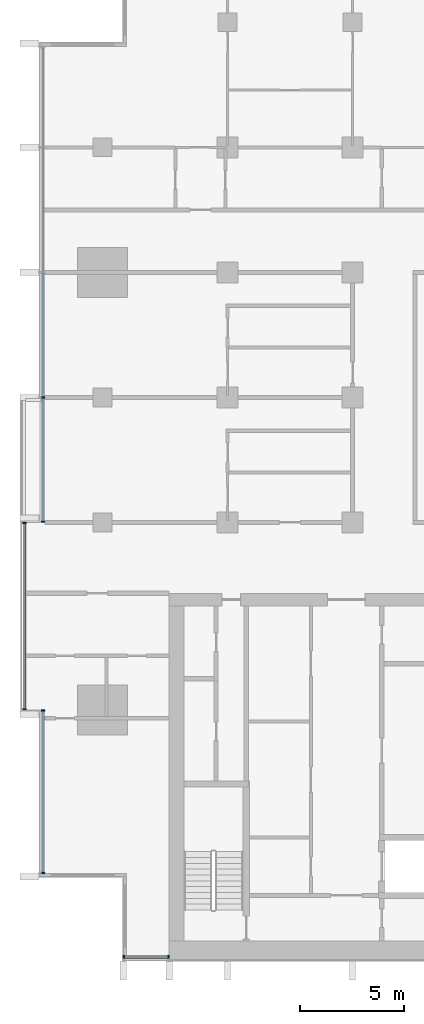
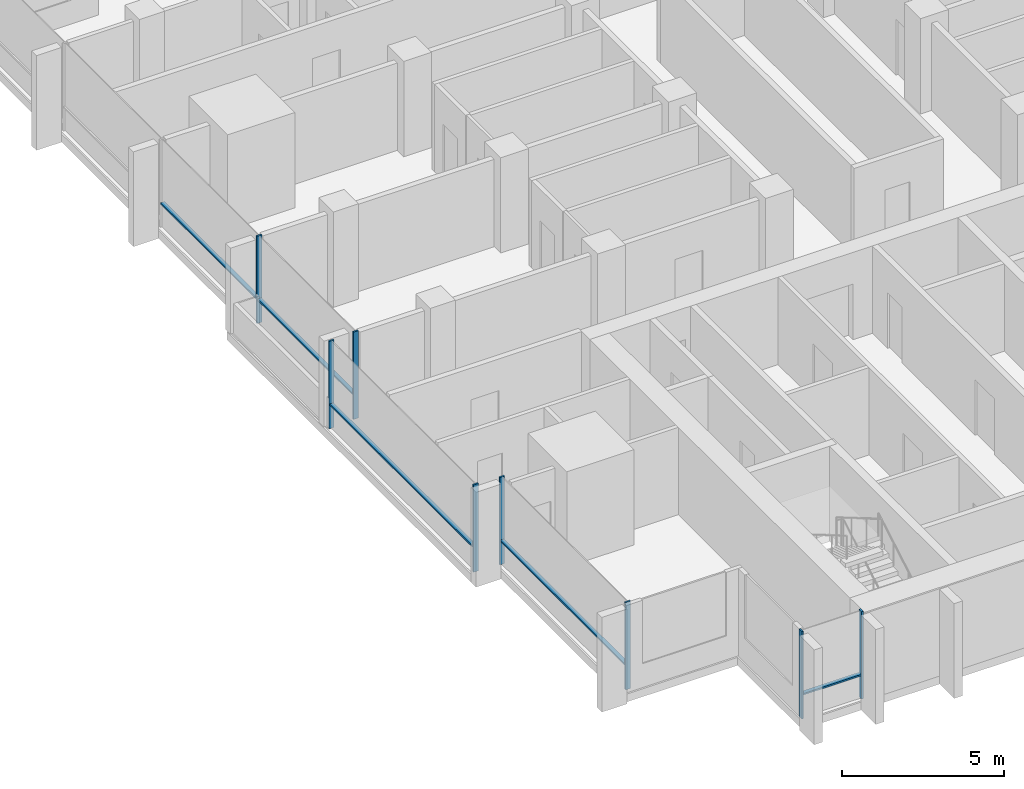
# One storey, part 2 of 16: 13 members, 4 elements without a shape of their own.
"""IFC4 building model written with IfcOpenShell, lengths in metres."""

import ifcopenshell
import ifcopenshell.guid

model = None  # the IFC model being written
_history = None  # IfcOwnerHistory: only IFC2X3 demands one
_inside = {}  # id of a spatial element -> (the spatial element, [elements in it])
_under = {}  # id of a project, library or spatial element -> (it, [spatial elements below it])
_declared = {}  # id of a project -> (the project, [libraries it declares])
_typed = {}  # id of a type object -> (the type object, [elements of that type])
_made_of = {}  # id of a material, layer set ... -> (it, [elements and type objects made of it])


def new_model(schema):
    """Start an empty IFC model of exactly this schema.

    Asked for "IFC4X3", IfcOpenShell would pick the latest addendum, in which some entities
    have other attributes; the version numbers below select the first issue.
    IFC2X3 requires an IfcOwnerHistory on every rooted entity: one is made here for all.
    """
    global model, _history
    if schema == "IFC4X3":
        model = ifcopenshell.file(schema_version=(4, 3, 0, 0))
    else:
        model = ifcopenshell.file(schema=schema)
    _inside.clear()
    _under.clear()
    _declared.clear()
    _typed.clear()
    _made_of.clear()
    _history = None
    if model.schema == "IFC2X3":
        org = make("IfcOrganization", Name="unknown")
        user = make(
            "IfcPersonAndOrganization",
            ThePerson=make("IfcPerson", FamilyName="unknown"),
            TheOrganization=org,
        )
        app = make(
            "IfcApplication",
            ApplicationDeveloper=org,
            Version="unknown",
            ApplicationFullName="unknown",
            ApplicationIdentifier="unknown",
        )
        _history = make(
            "IfcOwnerHistory",
            OwningUser=user,
            OwningApplication=app,
            ChangeAction="ADDED",
            CreationDate=0,
        )
    return model


def make(cls, **values):
    """One entity of the class cls with the attributes given. An attribute that is None is left unset."""
    return model.create_entity(
        cls, **{name: value for name, value in values.items() if value is not None}
    )


def rooted(cls, **values):
    """An entity with a GlobalId (a new one), such as an element, a storey or a relation."""
    return make(cls, GlobalId=ifcopenshell.guid.new(), OwnerHistory=_history, **values)


def si_unit(unit_type, name, prefix=None):
    """IfcSIUnit, for example si_unit("LENGTHUNIT", "METRE", prefix="MILLI")."""
    return make("IfcSIUnit", UnitType=unit_type, Prefix=prefix, Name=name)


def assignment(units):
    """IfcUnitAssignment: the units of a project."""
    return None if units is None else make("IfcUnitAssignment", Units=units)


def point(xyz):
    """IfcCartesianPoint."""
    return None if xyz is None else make("IfcCartesianPoint", Coordinates=xyz)


def direction(xyz):
    """IfcDirection."""
    return None if xyz is None else make("IfcDirection", DirectionRatios=xyz)


def frame(location, z_axis=None, x_axis=None):
    """IfcAxis2Placement3D, a coordinate frame: its origin and axes. An axis left out is left unset."""
    return make(
        "IfcAxis2Placement3D",
        Location=point(location),
        Axis=direction(z_axis),
        RefDirection=direction(x_axis),
    )


def frame_2d(location, x_axis=None):
    """IfcAxis2Placement2D, a coordinate frame in the plane: its origin and x axis."""
    return make(
        "IfcAxis2Placement2D", Location=point(location), RefDirection=direction(x_axis)
    )


def origin():
    """The frame at (0, 0, 0) with its axes left unset."""
    return frame((0.0, 0.0, 0.0))


def origin_2d():
    """The frame at (0, 0) in the plane with its x axis left unset."""
    return frame_2d((0.0, 0.0))


def place(relative_to, where):
    """IfcLocalPlacement: puts the frame where relative to a parent placement (None: the world)."""
    return make(
        "IfcLocalPlacement", PlacementRelTo=relative_to, RelativePlacement=where
    )


def context(
    kind, dimensions, precision=None, world=None, true_north=None, identifier=None
):
    """IfcGeometricRepresentationContext, for example the 3D "Model" context."""
    return make(
        "IfcGeometricRepresentationContext",
        ContextIdentifier=identifier,
        ContextType=kind,
        CoordinateSpaceDimension=dimensions,
        Precision=precision,
        WorldCoordinateSystem=world,
        TrueNorth=true_north,
    )


def subcontext(parent, identifier, kind, view, scale=None):
    """IfcGeometricRepresentationSubContext, for example "Body" below "Model"."""
    return make(
        "IfcGeometricRepresentationSubContext",
        ContextIdentifier=identifier,
        ContextType=kind,
        ParentContext=parent,
        TargetScale=scale,
        TargetView=view,
    )


def project(units=None, contexts=None):
    """IfcProject with its units and contexts."""
    return rooted(
        "IfcProject",
        Name="project",
        RepresentationContexts=contexts,
        UnitsInContext=assignment(units),
    )


def spatial(cls, under=None, at=None, **own):
    """A site, building, storey or space (cls), placed at a placement, below another one or the project."""
    s = rooted(cls, ObjectPlacement=at, **own)
    if under is not None:
        _under.setdefault(under.id(), (under, []))[1].append(s)
    return s


def profile(cls, at=None, kind="AREA", **sizes):
    """A parametric profile (cls). Its sizes go by their IFC names, for example OverallWidth=200.0."""
    return make(cls, ProfileType=kind, Position=at, **sizes)


def rectangle(**sizes):
    """IfcRectangleProfileDef."""
    return profile("IfcRectangleProfileDef", **sizes)


def extrude(swept, where, along, depth):
    """IfcExtrudedAreaSolid: the profile swept, set in the frame where, extruded along a direction by depth."""
    return make(
        "IfcExtrudedAreaSolid",
        SweptArea=swept,
        Position=where,
        ExtrudedDirection=direction(along),
        Depth=depth,
    )


def shape(context_of_items, identifier, shape_type, items):
    """IfcShapeRepresentation: the items that make up one representation, for example the "Body"."""
    return make(
        "IfcShapeRepresentation",
        ContextOfItems=context_of_items,
        RepresentationIdentifier=identifier,
        RepresentationType=shape_type,
        Items=items,
    )


def material(Name=None, Category=None):
    """IfcMaterial."""
    return make("IfcMaterial", Name=Name, Category=Category)


def material_profile(
    of_material, cross_section, Name=None, Category=None, Priority=None
):
    """IfcMaterialProfile: a cross section and its material."""
    return make(
        "IfcMaterialProfile",
        Name=Name,
        Material=of_material,
        Profile=cross_section,
        Priority=Priority,
        Category=Category,
    )


def profile_set(profiles, Name=None, composite=None):
    """IfcMaterialProfileSet."""
    return make(
        "IfcMaterialProfileSet",
        Name=Name,
        MaterialProfiles=profiles,
        CompositeProfile=composite,
    )


def made_of(thing, what):
    """Note that an element or type object is made of a material, layer set ...; save() writes the relation."""
    if what is not None:
        _made_of.setdefault(what.id(), (what, []))[1].append(thing)
    return thing


def type_object(cls, material=None, **own):
    """A type object (cls), such as IfcWallType, which elements share."""
    return made_of(rooted(cls, **own), material)


def element(
    cls,
    number,
    at=None,
    inside=None,
    cuts=None,
    type_object=None,
    material=None,
    context=None,
    identifier="Body",
    shape_type=None,
    held_by="IfcProductDefinitionShape",
    body=None,
    shapes=None,
    **own,
):
    """One element of the class cls, such as IfcWall. Its Tag is "e" and its number.

    at: its placement. inside: the storey or other place that contains it. cuts: it is an
    opening in that element (IfcRelVoidsElement). A single representation is given by context,
    identifier, shape_type and body (its items); several are given by shapes. held_by: the class
    of the entity that holds the representations. save() writes the other relations.
    """
    e = rooted(cls, Tag="e%d" % number, ObjectPlacement=at, **own)
    if body is not None:
        shapes = [shape(context, identifier, shape_type, body)]
    if shapes is not None:
        e.Representation = make(held_by, Representations=shapes)
    if inside is not None:
        _inside.setdefault(inside.id(), (inside, []))[1].append(e)
    if cuts is not None:
        rooted(
            "IfcRelVoidsElement", RelatingBuildingElement=cuts, RelatedOpeningElement=e
        )
    if type_object is not None:
        _typed.setdefault(type_object.id(), (type_object, []))[1].append(e)
    return made_of(e, material)


def aggregate(whole, parts):
    """IfcRelAggregates: a whole, such as a stair, and the parts it consists of."""
    return rooted("IfcRelAggregates", RelatingObject=whole, RelatedObjects=parts)


def save(model, path):
    """Write the relations noted so far, then the file.

    IfcRelAggregates (storeys below a building ...), IfcRelContainedInSpatialStructure (elements
    in a storey), IfcRelDefinesByType, IfcRelAssociatesMaterial and IfcRelDeclares: one each for
    every whole, place, type object, material and project.
    """
    for whole, parts in _under.values():
        aggregate(whole, parts)
    for where, things in _inside.values():
        rooted(
            "IfcRelContainedInSpatialStructure",
            RelatedElements=things,
            RelatingStructure=where,
        )
    for kind, things in _typed.values():
        rooted("IfcRelDefinesByType", RelatedObjects=things, RelatingType=kind)
    for what, things in _made_of.values():
        rooted("IfcRelAssociatesMaterial", RelatedObjects=things, RelatingMaterial=what)
    for by, libraries in _declared.values():
        rooted("IfcRelDeclares", RelatingContext=by, RelatedDefinitions=libraries)
    model.write(path)


model = new_model("IFC4")

# Units and contexts
model_context = context("Model", 3, precision=1e-05, world=origin(), true_north=direction((0.0, 1.0)))
body_context = subcontext(model_context, "Body", "Model", "MODEL_VIEW")
ifc_project = project(units=[si_unit("LENGTHUNIT", "METRE"), si_unit("AREAUNIT", "SQUARE_METRE"), si_unit("VOLUMEUNIT", "CUBIC_METRE"), si_unit("PLANEANGLEUNIT", "RADIAN"), si_unit("MASSUNIT", "GRAM", prefix="KILO")], contexts=[model_context])

# Site, building, storey
site_placement = place(None, origin())
site = spatial("IfcSite", under=ifc_project, at=site_placement, CompositionType="ELEMENT")
building_placement = place(site_placement, origin())
building = spatial("IfcBuilding", under=site, at=building_placement, Name="Finial Court Residences", CompositionType="ELEMENT")
storey_placement = place(building_placement, frame((0.0, 0.0, 160.10009765625)))
storey = spatial("IfcBuildingStorey", under=building, at=storey_placement, Name="L39", CompositionType="ELEMENT", Elevation=160.10009765625)

# Curtain wall, members
ifc_material = material(Name="Bronze anodised aluminium", Category="aluminium")
curtain_wall_type = type_object("IfcCurtainWallType", Name="Unitised curtain wall, upper zones", PredefinedType="NOTDEFINED", material=ifc_material)
curtain_wall_1_placement = place(storey_placement, origin())
curtain_wall_1 = element("IfcCurtainWall", 1, at=curtain_wall_1_placement, inside=storey, type_object=curtain_wall_type, Name="E-L39-CW-S7", PredefinedType="NOTDEFINED")
ifc_material_profile_1 = material_profile(ifc_material, rectangle(XDim=0.175048828125, YDim=0.06005859375, at=origin_2d()), Name="CW2 mullion 60 x 175")
ifc_profile_set_1 = profile_set([ifc_material_profile_1], Name="Bronze anodised aluminium")
member_type_1 = type_object("IfcMemberType", Name="CW2 mullion 60 x 175", PredefinedType="MULLION", material=ifc_profile_set_1)
member_1_placement = place(storey_placement, frame((-15.469970703125, -25.35009765625, 0.0), z_axis=(0.0, 0.0, 1.0), x_axis=(0.0, 1.0, 0.0)))
member_1 = element("IfcMember", 2, at=member_1_placement, type_object=member_type_1, Name="CW2 mullion 1", PredefinedType="MULLION", context=body_context, shape_type="SweptSolid", body=[
    extrude(rectangle(XDim=0.175048828125, YDim=0.06005859375, at=origin_2d()), origin(), (0.0, 0.0, 1.0), 3.2998046875),
])
member_2_placement = place(storey_placement, frame((-13.330078125, -25.35009765625, 0.0), z_axis=(0.0, 0.0, 1.0), x_axis=(0.0, 1.0, 0.0)))
member_2 = element("IfcMember", 3, at=member_2_placement, type_object=member_type_1, Name="CW2 mullion 2", PredefinedType="MULLION", context=body_context, shape_type="SweptSolid", body=[
    extrude(rectangle(XDim=0.175048828125, YDim=0.06005859375, at=origin_2d()), origin(), (0.0, 0.0, 1.0), 3.2998046875),
])

curtain_wall_2_placement = place(storey_placement, origin())
curtain_wall_2 = element("IfcCurtainWall", 4, at=curtain_wall_2_placement, inside=storey, type_object=curtain_wall_type, Name="E-L39-CW-W9", PredefinedType="NOTDEFINED")
member_3_placement = place(storey_placement, frame((-19.35009765625, -21.320068359375, 0.0), z_axis=(0.0, 0.0, 1.0), x_axis=(-1.0, 0.0, 0.0)))
member_3 = element("IfcMember", 5, at=member_3_placement, type_object=member_type_1, Name="CW2 mullion 1", PredefinedType="MULLION", context=body_context, shape_type="SweptSolid", body=[
    extrude(rectangle(XDim=0.175048828125, YDim=0.06005859375, at=origin_2d()), origin(), (0.0, 0.0, 1.0), 3.2998046875),
])
member_4_placement = place(storey_placement, frame((-19.35009765625, -13.530029296875, 0.0), z_axis=(0.0, 0.0, 1.0), x_axis=(-1.0, 0.0, 0.0)))
member_4 = element("IfcMember", 6, at=member_4_placement, type_object=member_type_1, Name="CW2 mullion 2", PredefinedType="MULLION", context=body_context, shape_type="SweptSolid", body=[
    extrude(rectangle(XDim=0.175048828125, YDim=0.06005859375, at=origin_2d()), origin(), (0.0, 0.0, 1.0), 3.2998046875),
])

curtain_wall_3_placement = place(storey_placement, origin())
curtain_wall_3 = element("IfcCurtainWall", 7, at=curtain_wall_3_placement, inside=storey, type_object=curtain_wall_type, Name="E-L39-CW-W10", PredefinedType="NOTDEFINED")
member_5_placement = place(storey_placement, frame((-20.25, -13.469970703125, 0.0), z_axis=(0.0, 0.0, 1.0), x_axis=(-1.0, 0.0, 0.0)))
member_5 = element("IfcMember", 8, at=member_5_placement, type_object=member_type_1, Name="CW2 mullion 1", PredefinedType="MULLION", context=body_context, shape_type="SweptSolid", body=[
    extrude(rectangle(XDim=0.175048828125, YDim=0.06005859375, at=origin_2d()), origin(), (0.0, 0.0, 1.0), 3.2998046875),
])
member_6_placement = place(storey_placement, frame((-20.25, -4.530029296875, 0.0), z_axis=(0.0, 0.0, 1.0), x_axis=(-1.0, 0.0, 0.0)))
member_6 = element("IfcMember", 9, at=member_6_placement, type_object=member_type_1, Name="CW2 mullion 2", PredefinedType="MULLION", context=body_context, shape_type="SweptSolid", body=[
    extrude(rectangle(XDim=0.175048828125, YDim=0.06005859375, at=origin_2d()), origin(), (0.0, 0.0, 1.0), 3.2998046875),
])

curtain_wall_4_placement = place(storey_placement, origin())
curtain_wall_4 = element("IfcCurtainWall", 10, at=curtain_wall_4_placement, inside=storey, type_object=curtain_wall_type, Name="E-L39-CW-W11", PredefinedType="NOTDEFINED")
member_7_placement = place(storey_placement, frame((-19.35009765625, -4.469970703125, 0.0), z_axis=(0.0, 0.0, 1.0), x_axis=(-1.0, 0.0, 0.0)))
member_7 = element("IfcMember", 11, at=member_7_placement, type_object=member_type_1, Name="CW2 mullion 1", PredefinedType="MULLION", context=body_context, shape_type="SweptSolid", body=[
    extrude(rectangle(XDim=0.175048828125, YDim=0.06005859375, at=origin_2d()), origin(), (0.0, 0.0, 1.0), 3.2998046875),
])
member_8_placement = place(storey_placement, frame((-19.35009765625, 1.5, 0.0), z_axis=(0.0, 0.0, 1.0), x_axis=(-1.0, 0.0, 0.0)))
member_8 = element("IfcMember", 12, at=member_8_placement, type_object=member_type_1, Name="CW2 mullion 2", PredefinedType="MULLION", context=body_context, shape_type="SweptSolid", body=[
    extrude(rectangle(XDim=0.175048828125, YDim=0.06005859375, at=origin_2d()), origin(), (0.0, 0.0, 1.0), 3.2998046875),
])

# Member
ifc_material_profile_2 = material_profile(ifc_material, rectangle(XDim=0.139892578125, YDim=0.06005859375, at=origin_2d()), Name="CW2 transom 60 x 140")
ifc_profile_set_2 = profile_set([ifc_material_profile_2], Name="Bronze anodised aluminium")
member_type_2 = type_object("IfcMemberType", Name="CW2 transom 60 x 140", PredefinedType="USERDEFINED", material=ifc_profile_set_2)
member_9_placement = place(storey_placement, frame((-15.43994140625, -25.35009765625, 0.89990234375), z_axis=(1.0, 0.0, 0.0), x_axis=(0.0, 1.0, 0.0)))
member_9 = element("IfcMember", 13, at=member_9_placement, type_object=member_type_2, Name="CW2 transom 1.1", ObjectType="TRANSOM", PredefinedType="USERDEFINED", context=body_context, shape_type="SweptSolid", body=[
    extrude(rectangle(XDim=0.139892578125, YDim=0.06005859375, at=origin_2d()), origin(), (0.0, 0.0, 1.0), 2.079833984375),
])

aggregate(curtain_wall_1, [member_1, member_2, member_9])

member_10_placement = place(storey_placement, frame((-19.35009765625, -21.2900390625, 0.89990234375), z_axis=(0.0, 1.0, 0.0), x_axis=(-1.0, 0.0, 0.0)))
member_10 = element("IfcMember", 14, at=member_10_placement, type_object=member_type_2, Name="CW2 transom 1.1", ObjectType="TRANSOM", PredefinedType="USERDEFINED", context=body_context, shape_type="SweptSolid", body=[
    extrude(rectangle(XDim=0.139892578125, YDim=0.06005859375, at=origin_2d()), origin(), (0.0, 0.0, 1.0), 7.72998046875),
])

aggregate(curtain_wall_2, [member_3, member_4, member_10])

member_11_placement = place(storey_placement, frame((-20.25, -13.43994140625, 0.89990234375), z_axis=(0.0, 1.0, 0.0), x_axis=(-1.0, 0.0, 0.0)))
member_11 = element("IfcMember", 15, at=member_11_placement, type_object=member_type_2, Name="CW2 transom 1.1", ObjectType="TRANSOM", PredefinedType="USERDEFINED", context=body_context, shape_type="SweptSolid", body=[
    extrude(rectangle(XDim=0.139892578125, YDim=0.06005859375, at=origin_2d()), origin(), (0.0, 0.0, 1.0), 8.8798828125),
])

aggregate(curtain_wall_3, [member_5, member_6, member_11])

member_12_placement = place(storey_placement, frame((-19.35009765625, -4.43994140625, 0.89990234375), z_axis=(0.0, 1.0, 0.0), x_axis=(-1.0, 0.0, 0.0)))
member_12 = element("IfcMember", 16, at=member_12_placement, type_object=member_type_2, Name="CW2 transom 1.1", ObjectType="TRANSOM", PredefinedType="USERDEFINED", context=body_context, shape_type="SweptSolid", body=[
    extrude(rectangle(XDim=0.139892578125, YDim=0.06005859375, at=origin_2d()), origin(), (0.0, 0.0, 1.0), 5.909912109375),
])

member_13_placement = place(storey_placement, frame((-19.35009765625, 1.530029296875, 0.89990234375), z_axis=(0.0, 1.0, 0.0), x_axis=(-1.0, 0.0, 0.0)))
member_13 = element("IfcMember", 17, at=member_13_placement, type_object=member_type_2, Name="CW2 transom 2.1", ObjectType="TRANSOM", PredefinedType="USERDEFINED", context=body_context, shape_type="SweptSolid", body=[
    extrude(rectangle(XDim=0.139892578125, YDim=0.06005859375, at=origin_2d()), origin(), (0.0, 0.0, 1.0), 5.93994140625),
])

aggregate(curtain_wall_4, [member_7, member_8, member_12, member_13])

save(model, "model.ifc")
